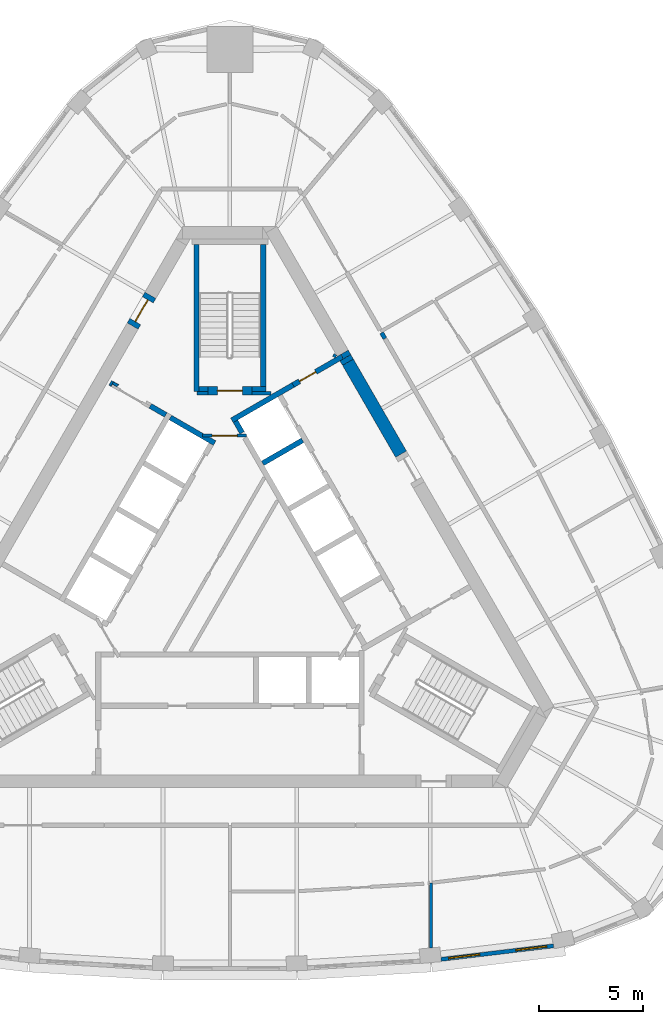
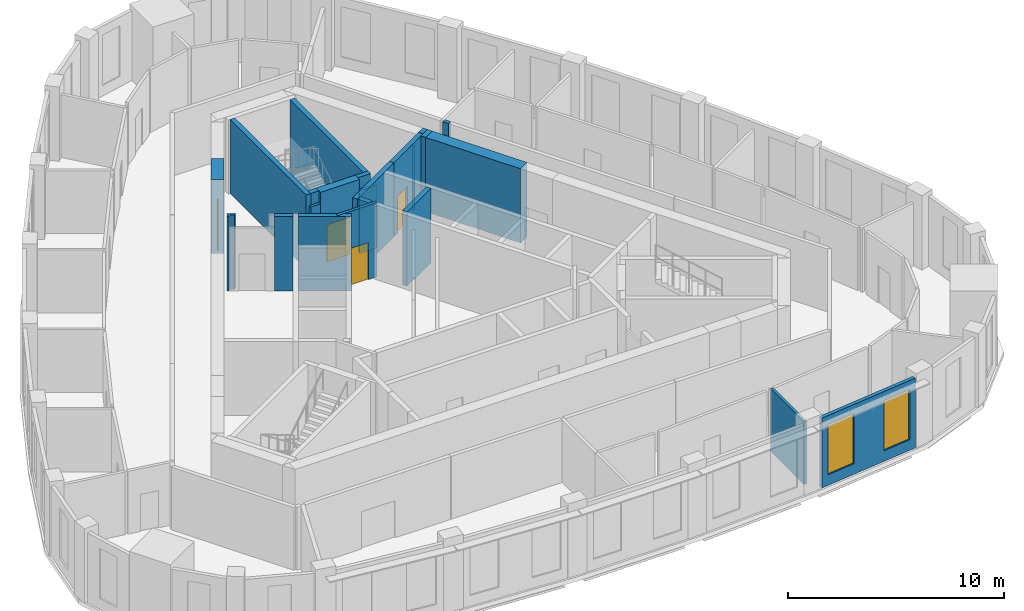
# One storey, part 6 of 10: 24 walls, 4 doors, 2 windows, 6 openings.
"""IFC4 building model written with IfcOpenShell, lengths in metres."""

from ifc_helpers import new_model, si_unit, direction, frame, frame_2d, origin, place, context, subcontext, project, spatial, polyline, rectangle, outline, extrude, material, layer, layer_set, type_object, element, fill, save


model = new_model("IFC4")

# Units and contexts
model_context = context("Model", 3, precision=1e-05, world=origin(), true_north=direction((0.0, 1.0)))
body_context = subcontext(model_context, "Body", "Model", "MODEL_VIEW")
ifc_project = project(units=[si_unit("LENGTHUNIT", "METRE"), si_unit("AREAUNIT", "SQUARE_METRE"), si_unit("VOLUMEUNIT", "CUBIC_METRE"), si_unit("PLANEANGLEUNIT", "RADIAN"), si_unit("MASSUNIT", "GRAM", prefix="KILO")], contexts=[model_context])

# Site, building, storey
site_placement = place(None, origin())
site = spatial("IfcSite", under=ifc_project, at=site_placement, CompositionType="ELEMENT")
building_placement = place(site_placement, origin())
building = spatial("IfcBuilding", under=site, at=building_placement, Name="Mestral Congress Tower", CompositionType="ELEMENT")
storey_placement = place(building_placement, frame((0.0, 0.0, 300.60009765625)))
storey = spatial("IfcBuildingStorey", under=building, at=storey_placement, Name="L70", CompositionType="ELEMENT", Elevation=300.60009765625)

# Walls
ifc_material_1 = material(Name="Fire-rated board partition")
ifc_layer_1 = layer(ifc_material_1, 0.14990234375)
ifc_layer_set_1 = layer_set([ifc_layer_1], Name="Fire-rated board partition")
wall_type_1 = type_object("IfcWallType", Name="Core partition 150", PredefinedType="PARTITIONING", material=ifc_layer_set_1)
wall_1_placement = place(storey_placement, frame((1.050048828125, 8.62548828125, 0.0), z_axis=(0.0, 0.0, 1.0), x_axis=(1.0, 0.0, 0.0)))
element("IfcWall", 1, at=wall_1_placement, inside=storey, type_object=wall_type_1, Name="L70 core wall", PredefinedType="PARTITIONING", context=body_context, shape_type="SweptSolid", body=[
    extrude(rectangle(XDim=0.9287109375, YDim=0.14990234375, at=frame_2d((0.46435546875, 0.0))), origin(), (0.0, 0.0, 1.0), 3.5498046875),
])
wall_2_placement = place(storey_placement, frame((-1.56396484375, 8.62548828125, 0.0), z_axis=(0.0, 0.0, 1.0), x_axis=(1.0, 0.0, 0.0)))
element("IfcWall", 2, at=wall_2_placement, inside=storey, type_object=wall_type_1, Name="L70 core wall", PredefinedType="PARTITIONING", context=body_context, shape_type="SweptSolid", body=[
    extrude(rectangle(XDim=0.513916015625, YDim=0.14990234375, at=frame_2d((0.2568359375, 0.0))), origin(), (0.0, 0.0, 1.0), 3.5498046875),
])
wall_3_placement = place(storey_placement, frame((4.97998046875, 10.35791015625, 0.0), z_axis=(0.0, 0.0, 1.0), x_axis=(0.500640202437, 0.86565546709, 0.0)))
element("IfcWall", 3, at=wall_3_placement, inside=storey, type_object=wall_type_1, Name="L70 core wall", PredefinedType="PARTITIONING", context=body_context, shape_type="SweptSolid", body=[
    extrude(rectangle(XDim=0.145751953125, YDim=0.14990234375, at=frame_2d((0.07275390625, 0.0))), origin(), (0.0, 0.0, 1.0), 3.5498046875),
])
ifc_material_2 = material(Name="Concrete C60/75", Category="concrete")
ifc_layer_2 = layer(ifc_material_2, 0.60009765625)
ifc_layer_set_2 = layer_set([ifc_layer_2], Name="Concrete C60/75")
wall_type_2 = type_object("IfcWallType", Name="Core wall RC 600", PredefinedType="SOLIDWALL", material=ifc_layer_set_2)
wall_4_placement = place(storey_placement, frame((5.52880859375, 10.32421875, 0.0), z_axis=(0.0, 0.0, 1.0), x_axis=(0.499122205112, -0.866531606097, 0.0)))
element("IfcWall", 4, at=wall_4_placement, inside=storey, type_object=wall_type_2, Name="L70 core wall", PredefinedType="SOLIDWALL", context=body_context, shape_type="SweptSolid", body=[
    extrude(rectangle(XDim=0.24658203125, YDim=0.60009765625, at=frame_2d((0.123291015625, 0.0))), origin(), (0.0, 0.0, 1.0), 4.199951171875),
])
placement = place(storey_placement, origin())
element("IfcWall", 5, at=placement, inside=storey, type_object=wall_type_2, Name="L70 core wall", PredefinedType="SOLIDWALL", context=body_context, shape_type="SweptSolid", body=[
    extrude(outline(polyline([(5.66357421875, 10.690673828125), (5.78759765625, 10.475830078125), (5.432373046875, 10.270751953125), (5.308349609375, 10.485595703125), (5.66357421875, 10.690673828125)])), origin(), (0.0, 0.0, 1.0), 4.199951171875),
])
wall_6_placement = place(storey_placement, frame((8.19189453125, 5.711181640625, 0.0), z_axis=(0.0, 0.0, 1.0), x_axis=(-0.500006836656, 0.866021456604, 0.0)))
element("IfcWall", 6, at=wall_6_placement, inside=storey, type_object=wall_type_2, Name="L70 core wall", PredefinedType="SOLIDWALL", context=body_context, shape_type="SweptSolid", body=[
    extrude(rectangle(XDim=5.078125, YDim=0.60009765625, at=frame_2d((2.5390625, 0.0))), origin(), (0.0, 0.0, 1.0), 4.199951171875),
])

# Wall, opening, door
wall_7_placement = place(storey_placement, frame((-4.65234375, 11.842041015625, 0.0), z_axis=(0.0, 0.0, 1.0), x_axis=(0.500062241894, 0.865989465428, 0.0)))
wall_7 = element("IfcWall", 7, at=wall_7_placement, inside=storey, type_object=wall_type_2, Name="L70 door wall", PredefinedType="SOLIDWALL", context=body_context, shape_type="SweptSolid", body=[
    extrude(rectangle(XDim=1.699951171875, YDim=0.60009765625, at=frame_2d((0.85009765625, 0.0))), origin(), (0.0, 0.0, 1.0), 4.199951171875),
])
opening_1_placement = place(wall_7_placement, frame((0.25, 0.0, 0.0)))
opening_1 = element("IfcOpeningElement", 8, at=opening_1_placement, cuts=wall_7, Name="Opening XD2", PredefinedType="OPENING", context=body_context, shape_type="SweptSolid", body=[
    extrude(rectangle(XDim=1.199951171875, YDim=2.10009765625, at=frame_2d((0.60009765625, 1.050048828125))), frame((0.0, 0.31005859375, 0.0), z_axis=(0.0, -1.0, 0.0), x_axis=(1.0, 0.0, 0.0)), (0.0, 0.0, 1.0), 0.6201171875),
])
ifc_material_3 = material(Name="Fire-rated steel door set", Category="steel")
door_type_1 = type_object("IfcDoorType", Name="Core door XD 1200x2100", OperationType="SINGLE_SWING_LEFT", PredefinedType="DOOR", material=ifc_material_3)
door_1_placement = place(opening_1_placement, origin())
door_1 = element("IfcDoor", 9, at=door_1_placement, inside=storey, type_object=door_type_1, Name="Door XD2", OperationType="SINGLE_SWING_LEFT", OverallHeight=2.10009765625, OverallWidth=1.199951171875, PredefinedType="DOOR", context=body_context, shape_type="SweptSolid", body=[
    extrude(rectangle(XDim=1.199951171875, YDim=2.10009765625, at=frame_2d((0.60009765625, 1.050048828125))), frame((0.0, 0.02490234375, 0.0), z_axis=(0.0, -1.0, 0.0), x_axis=(1.0, 0.0, 0.0)), (0.0, 0.0, 1.0), 0.050048828125),
])
fill(opening_1, door_1)

# Wall, openings, windows
ifc_material_4 = material(Name="Precast concrete C40/50 with limestone facing", Category="masonry")
ifc_layer_3 = layer(ifc_material_4, 0.18994140625)
ifc_layer_set_3 = layer_set([ifc_layer_3], Name="Precast concrete C40/50 with limestone facing")
wall_type_3 = type_object("IfcWallType", Name="Facade stone wall 190", PredefinedType="SOLIDWALL", material=ifc_layer_set_3)
wall_8_placement = place(storey_placement, frame((10.110595703125, -18.4677734375, 0.0), z_axis=(0.0, 0.0, 1.0), x_axis=(0.992885582795, 0.119072328769, 0.0)))
wall_8 = element("IfcWall", 10, at=wall_8_placement, inside=storey, type_object=wall_type_3, Name="Facade wall F0-04", PredefinedType="SOLIDWALL", context=body_context, shape_type="SweptSolid", body=[
    extrude(rectangle(XDim=5.4150390625, YDim=0.18994140625, at=frame_2d((2.70751953125, 0.0))), origin(), (0.0, 0.0, 1.0), 3.949951171875),
])
opening_2_placement = place(wall_8_placement, frame((0.357421875, 0.0, 0.60009765625)))
opening_2 = element("IfcOpeningElement", 11, at=opening_2_placement, cuts=wall_8, Name="Opening W6", PredefinedType="OPENING", context=body_context, shape_type="SweptSolid", body=[
    extrude(rectangle(XDim=1.5, YDim=2.85009765625, at=frame_2d((0.75, 1.425048828125))), frame((0.0, 0.10498046875, 0.0), z_axis=(0.0, -1.0, 0.0), x_axis=(1.0, 0.0, 0.0)), (0.0, 0.0, 1.0), 0.2099609375),
])
opening_3_placement = place(wall_8_placement, frame((3.592529296875, 0.0, 0.60009765625)))
opening_3 = element("IfcOpeningElement", 12, at=opening_3_placement, cuts=wall_8, Name="Opening W6", PredefinedType="OPENING", context=body_context, shape_type="SweptSolid", body=[
    extrude(rectangle(XDim=1.5, YDim=2.85009765625, at=frame_2d((0.75, 1.425048828125))), frame((0.0, 0.10498046875, 0.0), z_axis=(0.0, -1.0, 0.0), x_axis=(1.0, 0.0, 0.0)), (0.0, 0.0, 1.0), 0.2099609375),
])
ifc_material_5 = material(Name="Clear low-emissivity double glazing", Category="glass")
window_type = type_object("IfcWindowType", Name="Facade punched window 1500 x 2850 sill 600", PartitioningType="SINGLE_PANEL", PredefinedType="WINDOW", material=ifc_material_5)
window_1_placement = place(opening_2_placement, origin())
window_1 = element("IfcWindow", 13, at=window_1_placement, inside=storey, type_object=window_type, Name="Window F0-04a", OverallHeight=2.85009765625, OverallWidth=1.5, PartitioningType="SINGLE_PANEL", PredefinedType="WINDOW", context=body_context, shape_type="SweptSolid", body=[
    extrude(rectangle(XDim=1.5, YDim=2.85009765625, at=frame_2d((0.75, 1.425048828125))), frame((0.0, 0.044921875, 0.0), z_axis=(0.0, -1.0, 0.0), x_axis=(1.0, 0.0, 0.0)), (0.0, 0.0, 1.0), 0.06005859375),
])
fill(opening_2, window_1)
window_2_placement = place(opening_3_placement, origin())
window_2 = element("IfcWindow", 14, at=window_2_placement, inside=storey, type_object=window_type, Name="Window F0-04b", OverallHeight=2.85009765625, OverallWidth=1.5, PartitioningType="SINGLE_PANEL", PredefinedType="WINDOW", context=body_context, shape_type="SweptSolid", body=[
    extrude(rectangle(XDim=1.5, YDim=2.85009765625, at=frame_2d((0.75, 1.425048828125))), frame((0.0, 0.044921875, 0.0), z_axis=(0.0, -1.0, 0.0), x_axis=(1.0, 0.0, 0.0)), (0.0, 0.0, 1.0), 0.06005859375),
])
fill(opening_3, window_2)

# Walls
ifc_material_6 = material(Name="Plasterboard partition on steel studs", Category="steel")
ifc_layer_4 = layer(ifc_material_6, 0.14990234375)
ifc_layer_set_4 = layer_set([ifc_layer_4], Name="Plasterboard partition on steel studs")
wall_type_4 = type_object("IfcWallType", Name="Office partition 150", PredefinedType="PARTITIONING", material=ifc_layer_set_4)
wall_9_placement = place(storey_placement, frame((9.62744140625, -14.80419921875, 0.0), z_axis=(0.0, 0.0, 1.0), x_axis=(0.0, -1.0, 0.0)))
element("IfcWall", 15, at=wall_9_placement, inside=storey, type_object=wall_type_4, Name="Partition", PredefinedType="PARTITIONING", context=body_context, shape_type="SweptSolid", body=[
    extrude(rectangle(XDim=3.114501953125, YDim=0.14990234375, at=frame_2d((1.55712890625, 0.0))), origin(), (0.0, 0.0, 1.0), 3.5498046875),
])
ifc_material_7 = material(Name="Dense masonry wall, plastered", Category="masonry")
ifc_layer_5 = layer(ifc_material_7, 0.199951171875)
ifc_layer_set_5 = layer_set([ifc_layer_5], Name="Dense masonry wall, plastered")
wall_type_5 = type_object("IfcWallType", Name="Office tenancy wall 200", PredefinedType="PARTITIONING", material=ifc_layer_set_5)
wall_10_placement = place(storey_placement, frame((7.420654296875, 11.2470703125, 0.0), z_axis=(0.0, 0.0, 1.0), x_axis=(-0.500303403544, 0.865850162789, 0.0)))
element("IfcWall", 16, at=wall_10_placement, inside=storey, type_object=wall_type_5, Name="Tenancy wall", PredefinedType="PARTITIONING", context=body_context, shape_type="SweptSolid", body=[
    extrude(rectangle(XDim=0.315185546875, YDim=0.199951171875, at=frame_2d((0.15771484375, 0.0))), origin(), (0.0, 0.0, 1.0), 3.5498046875),
])
ifc_layer_6 = layer(ifc_material_2, 0.25)
ifc_layer_set_6 = layer_set([ifc_layer_6], Name="Concrete C60/75")
wall_type_6 = type_object("IfcWallType", Name="Shaft wall RC 250", PredefinedType="SOLIDWALL", material=ifc_layer_set_6)
wall_11_placement = place(storey_placement, frame((3.02783203125, 9.022705078125, 0.0), z_axis=(0.0, 0.0, 1.0), x_axis=(-0.866036587186, -0.49998062928, 0.0)))
element("IfcWall", 17, at=wall_11_placement, inside=storey, type_object=wall_type_6, Name="L70 core wall", PredefinedType="SOLIDWALL", context=body_context, shape_type="SweptSolid", body=[
    extrude(rectangle(XDim=3.383544921875, YDim=0.25, at=frame_2d((1.69189453125, 0.0))), origin(), (0.0, 0.0, 1.0), 4.199951171875),
])
wall_12_placement = place(storey_placement, frame((0.268310546875, 7.28515625, 0.0), z_axis=(0.0, 0.0, 1.0), x_axis=(0.500098681536, -0.865968422476, 0.0)))
element("IfcWall", 18, at=wall_12_placement, inside=storey, type_object=wall_type_6, Name="L70 core wall", PredefinedType="SOLIDWALL", context=body_context, shape_type="SweptSolid", body=[
    extrude(rectangle(XDim=0.636474609375, YDim=0.25, at=frame_2d((0.318359375, 0.0))), origin(), (0.0, 0.0, 1.0), 4.199951171875),
])
wall_13_placement = place(storey_placement, frame((1.57421875, 5.273681640625, 0.0), z_axis=(0.0, 0.0, 1.0), x_axis=(0.866028486751, 0.499994660107, 0.0)))
element("IfcWall", 19, at=wall_13_placement, inside=storey, type_object=wall_type_6, Name="L70 core wall", PredefinedType="SOLIDWALL", context=body_context, shape_type="SweptSolid", body=[
    extrude(rectangle(XDim=2.19970703125, YDim=0.25, at=frame_2d((1.099853515625, 0.0))), origin(), (0.0, 0.0, 1.0), 4.199951171875),
])
element("IfcWall", 20, at=placement, inside=storey, type_object=wall_type_6, Name="L70 core wall", PredefinedType="SOLIDWALL", context=body_context, shape_type="SweptSolid", body=[
    extrude(outline(polyline([(-2.911865234375, 7.3564453125), (-2.786865234375, 7.572998046875), (-1.231689453125, 6.675048828125), (-1.303466796875, 6.675048828125), (-1.3037109375, 6.675048828125), (-1.3037109375, 6.675048828125), (-1.3037109375, 6.52490234375), (-1.3037109375, 6.52490234375), (-1.303466796875, 6.52490234375), (-0.971435546875, 6.52490234375), (-0.6650390625, 6.347900390625), (-0.7900390625, 6.131591796875), (-1.006591796875, 6.256591796875), (-1.006591796875, 6.256591796875), (-2.911865234375, 7.3564453125)])), origin(), (0.0, 0.0, 1.0), 4.199951171875),
])
wall_15_placement = place(storey_placement, frame((-5.724609375, 9.124755859375, 0.0), z_axis=(0.0, 0.0, 1.0), x_axis=(0.866185586049, -0.49972245349, 0.0)))
element("IfcWall", 21, at=wall_15_placement, inside=storey, type_object=wall_type_6, Name="L70 core wall", PredefinedType="SOLIDWALL", context=body_context, shape_type="SweptSolid", body=[
    extrude(rectangle(XDim=0.10986328125, YDim=0.25, at=frame_2d((0.054931640625, 0.0))), origin(), (0.0, 0.0, 1.0), 4.199951171875),
])
wall_16_placement = place(storey_placement, frame((-3.06591796875, 7.58984375, 0.0), z_axis=(0.0, 0.0, 1.0), x_axis=(-0.866081358704, 0.49990307071, 0.0)))
element("IfcWall", 22, at=wall_16_placement, inside=storey, type_object=wall_type_6, Name="L70 core wall", PredefinedType="SOLIDWALL", context=body_context, shape_type="SweptSolid", body=[
    extrude(rectangle(XDim=0.858154296875, YDim=0.25, at=frame_2d((0.42919921875, 0.0))), origin(), (0.0, 0.0, 1.0), 4.199951171875),
])
element("IfcWall", 23, at=placement, inside=storey, type_object=wall_type_6, Name="L70 core wall", PredefinedType="SOLIDWALL", context=body_context, shape_type="SweptSolid", body=[
    extrude(outline(polyline([(-5.688720703125, 8.959716796875), (-5.690185546875, 8.960693359375), (-5.565185546875, 9.177001953125), (-5.318603515625, 9.03466796875), (-5.334716796875, 9.02587890625), (-5.3505859375, 9.0146484375), (-5.36572265625, 9.001953125), (-5.37939453125, 8.98779296875), (-5.3916015625, 8.972412109375), (-5.402099609375, 8.955810546875), (-5.412109375, 8.938720703125), (-5.628662109375, 9.063720703125), (-5.628662109375, 9.063720703125), (-5.688720703125, 8.959716796875)])), origin(), (0.0, 0.0, 1.0), 4.199951171875),
])

# Wall, opening, door
wall_18_placement = place(storey_placement, frame((5.3662109375, 10.372802734375, 0.0), z_axis=(0.0, 0.0, 1.0), x_axis=(-0.866019956843, -0.50000943426, 0.0)))
wall_18 = element("IfcWall", 24, at=wall_18_placement, inside=storey, type_object=wall_type_6, Name="L70 door wall", PredefinedType="SOLIDWALL", context=body_context, shape_type="SweptSolid", body=[
    extrude(rectangle(XDim=2.7001953125, YDim=0.25, at=frame_2d((1.35009765625, 0.0))), origin(), (0.0, 0.0, 1.0), 4.199951171875),
])
opening_4_placement = place(wall_18_placement, frame((1.449951171875, 0.0, 0.0)))
opening_4 = element("IfcOpeningElement", 25, at=opening_4_placement, cuts=wall_18, Name="Opening TD2", PredefinedType="OPENING", context=body_context, shape_type="SweptSolid", body=[
    extrude(rectangle(XDim=0.89990234375, YDim=2.10009765625, at=frame_2d((0.449951171875, 1.050048828125))), frame((0.0, 0.135009765625, 0.0), z_axis=(0.0, -1.0, 0.0), x_axis=(1.0, 0.0, 0.0)), (0.0, 0.0, 1.0), 0.27001953125),
])
door_type_2 = type_object("IfcDoorType", Name="Core door SR 900x2100", OperationType="SINGLE_SWING_LEFT", PredefinedType="DOOR", material=ifc_material_3)
door_2_placement = place(opening_4_placement, origin())
door_2 = element("IfcDoor", 26, at=door_2_placement, inside=storey, type_object=door_type_2, Name="Door TD2", OperationType="SINGLE_SWING_LEFT", OverallHeight=2.10009765625, OverallWidth=0.89990234375, PredefinedType="DOOR", context=body_context, shape_type="SweptSolid", body=[
    extrude(rectangle(XDim=0.89990234375, YDim=2.10009765625, at=frame_2d((0.449951171875, 1.050048828125))), frame((0.0, 0.02490234375, 0.0), z_axis=(0.0, -1.0, 0.0), x_axis=(1.0, 0.0, 0.0)), (0.0, 0.0, 1.0), 0.050048828125),
])
fill(opening_4, door_2)

ifc_layer_7 = layer(ifc_material_2, 0.14990234375)
ifc_layer_set_7 = layer_set([ifc_layer_7], Name="Concrete C60/75")
wall_type_7 = type_object("IfcWallType", Name="Shaft wall RC 250 door-wall 150", PredefinedType="SOLIDWALL", material=ifc_layer_set_7)
wall_19_placement = place(storey_placement, frame((-1.303466796875, 6.60009765625, 0.0), z_axis=(0.0, 0.0, 1.0), x_axis=(1.0, 0.0, 0.0)))
wall_19 = element("IfcWall", 27, at=wall_19_placement, inside=storey, type_object=wall_type_7, Name="L70 door wall", PredefinedType="PARTITIONING", context=body_context, shape_type="SweptSolid", body=[
    extrude(rectangle(XDim=2.099853515625, YDim=0.14990234375, at=frame_2d((1.0498046875, 0.0))), origin(), (0.0, 0.0, 1.0), 4.199951171875),
])
opening_5_placement = place(wall_19_placement, frame((0.449951171875, 0.0, 0.0)))
opening_5 = element("IfcOpeningElement", 28, at=opening_5_placement, cuts=wall_19, Name="Opening CD2-FF", PredefinedType="OPENING", context=body_context, shape_type="SweptSolid", body=[
    extrude(rectangle(XDim=1.199951171875, YDim=2.10009765625, at=frame_2d((0.60009765625, 1.050048828125))), frame((0.0, 0.0849609375, 0.0), z_axis=(0.0, -1.0, 0.0), x_axis=(1.0, 0.0, 0.0)), (0.0, 0.0, 1.0), 0.169921875),
])
door_type_3 = type_object("IfcDoorType", Name="Core door CD 1200x2100", OperationType="SINGLE_SWING_LEFT", PredefinedType="DOOR", material=ifc_material_3)
door_3_placement = place(opening_5_placement, origin())
door_3 = element("IfcDoor", 29, at=door_3_placement, inside=storey, type_object=door_type_3, Name="Door CD2-FF", OperationType="SINGLE_SWING_LEFT", OverallHeight=2.10009765625, OverallWidth=1.199951171875, PredefinedType="DOOR", context=body_context, shape_type="SweptSolid", body=[
    extrude(rectangle(XDim=1.199951171875, YDim=2.10009765625, at=frame_2d((0.60009765625, 1.050048828125))), frame((0.0, 0.02490234375, 0.0), z_axis=(0.0, -1.0, 0.0), x_axis=(1.0, 0.0, 0.0)), (0.0, 0.0, 1.0), 0.050048828125),
])
fill(opening_5, door_3)

# Walls
ifc_layer_8 = layer(ifc_material_2, 0.25)
ifc_layer_set_8 = layer_set([ifc_layer_8], Name="Concrete C60/75")
wall_type_8 = type_object("IfcWallType", Name="Stair wall RC 250", PredefinedType="SOLIDWALL", material=ifc_layer_set_8)
wall_20_placement = place(storey_placement, frame((1.60009765625, 8.949951171875, 0.0), z_axis=(0.0, 0.0, 1.0), x_axis=(0.0, 1.0, 0.0)))
element("IfcWall", 30, at=wall_20_placement, inside=storey, type_object=wall_type_8, Name="L70 core wall", PredefinedType="SOLIDWALL", context=body_context, shape_type="SweptSolid", body=[
    extrude(rectangle(XDim=6.800048828125, YDim=0.25, at=frame_2d((3.39990234375, 0.0))), origin(), (0.0, 0.0, 1.0), 4.199951171875),
])
wall_21_placement = place(storey_placement, frame((1.050048828125, 8.824951171875, 0.0), z_axis=(0.0, 0.0, 1.0), x_axis=(1.0, 0.0, 0.0)))
element("IfcWall", 31, at=wall_21_placement, inside=storey, type_object=wall_type_8, Name="L70 core wall", PredefinedType="SOLIDWALL", context=body_context, shape_type="SweptSolid", body=[
    extrude(rectangle(XDim=0.675048828125, YDim=0.25, at=frame_2d((0.33740234375, 0.0))), origin(), (0.0, 0.0, 1.0), 4.199951171875),
])
wall_22_placement = place(storey_placement, frame((-1.60009765625, 8.699951171875, 0.0), z_axis=(0.0, 0.0, 1.0), x_axis=(0.0, 1.0, 0.0)))
element("IfcWall", 32, at=wall_22_placement, inside=storey, type_object=wall_type_8, Name="L70 core wall", PredefinedType="SOLIDWALL", context=body_context, shape_type="SweptSolid", body=[
    extrude(rectangle(XDim=7.050048828125, YDim=0.25, at=frame_2d((3.52490234375, 0.0))), origin(), (0.0, 0.0, 1.0), 4.199951171875),
])
wall_23_placement = place(storey_placement, frame((-1.47509765625, 8.824951171875, 0.0), z_axis=(0.0, 0.0, 1.0), x_axis=(1.0, 0.0, 0.0)))
element("IfcWall", 33, at=wall_23_placement, inside=storey, type_object=wall_type_8, Name="L70 core wall", PredefinedType="SOLIDWALL", context=body_context, shape_type="SweptSolid", body=[
    extrude(rectangle(XDim=0.425048828125, YDim=0.25, at=frame_2d((0.21240234375, 0.0))), origin(), (0.0, 0.0, 1.0), 4.199951171875),
])

# Wall, opening, door
ifc_layer_9 = layer(ifc_material_2, 0.39990234375)
ifc_layer_set_9 = layer_set([ifc_layer_9], Name="Concrete C60/75")
wall_type_9 = type_object("IfcWallType", Name="Stair wall RC 250 door-wall 400", PredefinedType="SOLIDWALL", material=ifc_layer_set_9)
wall_24_placement = place(storey_placement, frame((1.050048828125, 8.75, 0.0), z_axis=(0.0, 0.0, 1.0), x_axis=(-1.0, 0.0, 0.0)))
wall_24 = element("IfcWall", 34, at=wall_24_placement, inside=storey, type_object=wall_type_9, Name="L70 door wall", PredefinedType="SOLIDWALL", context=body_context, shape_type="SweptSolid", body=[
    extrude(rectangle(XDim=2.10009765625, YDim=0.39990234375, at=frame_2d((1.050048828125, 0.0))), origin(), (0.0, 0.0, 1.0), 4.199951171875),
])
opening_6_placement = place(wall_24_placement, frame((0.449951171875, 0.0, 0.0)))
opening_6 = element("IfcOpeningElement", 35, at=opening_6_placement, cuts=wall_24, Name="Opening ST-D2", PredefinedType="OPENING", context=body_context, shape_type="SweptSolid", body=[
    extrude(rectangle(XDim=1.199951171875, YDim=2.10009765625, at=frame_2d((0.60009765625, 1.050048828125))), frame((0.0, 0.2099609375, 0.0), z_axis=(0.0, -1.0, 0.0), x_axis=(1.0, 0.0, 0.0)), (0.0, 0.0, 1.0), 0.419921875),
])
door_type_4 = type_object("IfcDoorType", Name="Core door ST 1200x2100", OperationType="SINGLE_SWING_LEFT", PredefinedType="DOOR", material=ifc_material_3)
door_4_placement = place(opening_6_placement, origin())
door_4 = element("IfcDoor", 36, at=door_4_placement, inside=storey, type_object=door_type_4, Name="Door ST-D2", OperationType="SINGLE_SWING_LEFT", OverallHeight=2.10009765625, OverallWidth=1.199951171875, PredefinedType="DOOR", context=body_context, shape_type="SweptSolid", body=[
    extrude(rectangle(XDim=1.199951171875, YDim=2.10009765625, at=frame_2d((0.60009765625, 1.050048828125))), frame((0.0, 0.02490234375, 0.0), z_axis=(0.0, -1.0, 0.0), x_axis=(1.0, 0.0, 0.0)), (0.0, 0.0, 1.0), 0.050048828125),
])
fill(opening_6, door_4)

save(model, "model.ifc")
